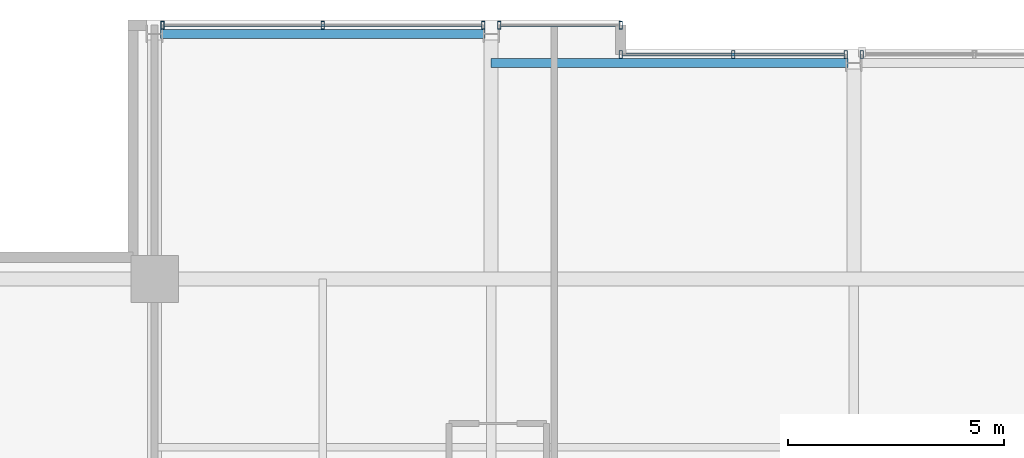
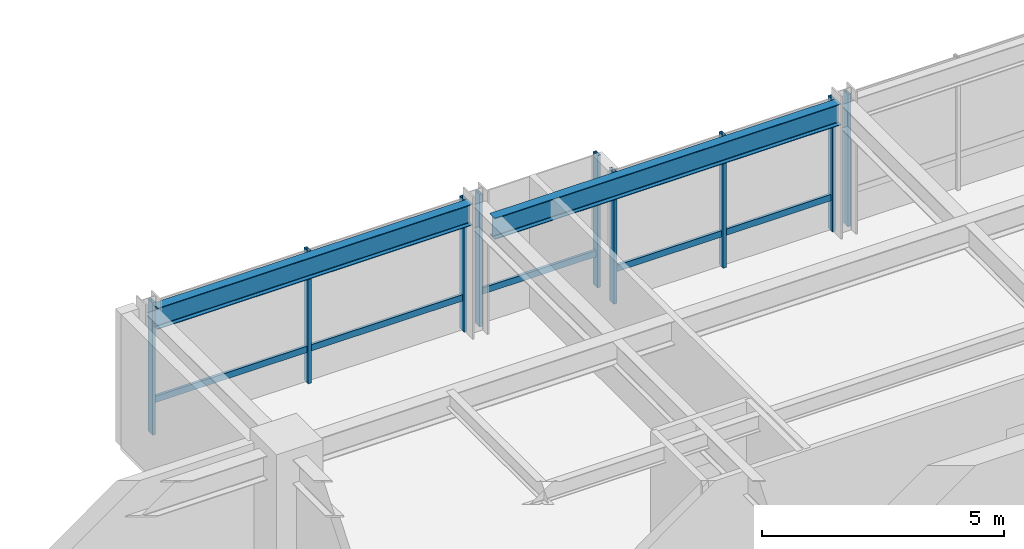
# One storey, part 20 of 32: 12 members, 2 beams, 4 elements without a shape of their own.
"""IFC4 building model written with IfcOpenShell, lengths in metres."""

from ifc_helpers import new_model, si_unit, direction, frame, origin, origin_2d, place, context, subcontext, project, spatial, hollow_rectangle, i_section, extrude, material, layer, layer_set, material_profile, profile_set, type_object, element, aggregate, save


model = new_model("IFC4")

# Units and contexts
model_context = context("Model", 3, precision=1e-05, world=origin(), true_north=direction((0.0, 1.0)))
body_context = subcontext(model_context, "Body", "Model", "MODEL_VIEW")
ifc_project = project(units=[si_unit("LENGTHUNIT", "METRE"), si_unit("AREAUNIT", "SQUARE_METRE"), si_unit("VOLUMEUNIT", "CUBIC_METRE"), si_unit("PLANEANGLEUNIT", "RADIAN"), si_unit("MASSUNIT", "GRAM", prefix="KILO")], contexts=[model_context])

# Site, building, storey
site_placement = place(None, origin())
site = spatial("IfcSite", under=ifc_project, at=site_placement, CompositionType="ELEMENT")
building_placement = place(site_placement, origin())
building = spatial("IfcBuilding", under=site, at=building_placement, Name="Drelvath Grand Hotel", CompositionType="ELEMENT")
storey_placement = place(building_placement, frame((0.0, 0.0, 233.89990234375)))
storey = spatial("IfcBuildingStorey", under=building, at=storey_placement, Name="L61", CompositionType="ELEMENT", Elevation=233.89990234375)

# Curtain wall, member
ifc_material_1 = material(Name="Platinum-Mist Anodised Aluminium Frame", Category="aluminium")
ifc_layer = layer(ifc_material_1, 0.199951171875)
ifc_layer_set = layer_set([ifc_layer], Name="Platinum-Mist Anodised Aluminium Frame")
curtain_wall_type = type_object("IfcCurtainWallType", Name="Stick Curtain Wall CW-05 Platinum Mist High-Rise", PredefinedType="NOTDEFINED", material=ifc_layer_set)
curtain_wall_1_placement = place(storey_placement, origin())
curtain_wall_1 = element("IfcCurtainWall", 1, at=curtain_wall_1_placement, inside=storey, type_object=curtain_wall_type, Name="L61 CW-05 Curtain Wall CW05-L61-NW2", PredefinedType="NOTDEFINED")
ifc_material_profile_1 = material_profile(ifc_material_1, hollow_rectangle(XDim=0.06494140625, YDim=0.159912109375, WallThickness=0.00390625, at=origin_2d()), Name="HSS160X65X4")
ifc_profile_set_1 = profile_set([ifc_material_profile_1], Name="Platinum-Mist Anodised Aluminium Frame")
member_type_1 = type_object("IfcMemberType", Name="Curtain Wall Horizontal Transom CW-05 HSS160X65X4", PredefinedType="USERDEFINED", material=ifc_profile_set_1)
member_1_placement = place(storey_placement, frame((-15.974609375, 49.080078125, 0.835205078125), z_axis=(1.0, 0.0, 0.0), x_axis=(0.0, 1.0, 0.0)))
member_1 = element("IfcMember", 2, at=member_1_placement, type_object=member_type_1, Name="CW05-L61-NW2 Sill Transom", ObjectType="TRANSOM", PredefinedType="USERDEFINED", context=body_context, shape_type="SweptSolid", body=[
    extrude(hollow_rectangle(XDim=0.06494140625, YDim=0.159912109375, WallThickness=0.00390625, at=origin_2d()), origin(), (0.0, 0.0, 1.0), 7.349365234375),
])

curtain_wall_2_placement = place(storey_placement, origin())
curtain_wall_2 = element("IfcCurtainWall", 3, at=curtain_wall_2_placement, inside=storey, type_object=curtain_wall_type, Name="L61 CW-05 Curtain Wall CW05-L61-NW3", PredefinedType="NOTDEFINED")
member_2_placement = place(storey_placement, frame((-8.1748046875, 49.080078125, 0.835205078125), z_axis=(1.0, 0.0, 0.0), x_axis=(0.0, 1.0, 0.0)))
member_2 = element("IfcMember", 4, at=member_2_placement, type_object=member_type_1, Name="CW05-L61-NW3 Sill Transom", ObjectType="TRANSOM", PredefinedType="USERDEFINED", context=body_context, shape_type="SweptSolid", body=[
    extrude(hollow_rectangle(XDim=0.06494140625, YDim=0.159912109375, WallThickness=0.00390625, at=origin_2d()), origin(), (0.0, 0.0, 1.0), 2.73486328125),
])

curtain_wall_3_placement = place(storey_placement, origin())
curtain_wall_3 = element("IfcCurtainWall", 5, at=curtain_wall_3_placement, inside=storey, type_object=curtain_wall_type, Name="L61 CW-05 Curtain Wall CW05-L61-NM1", PredefinedType="NOTDEFINED")
member_3_placement = place(storey_placement, frame((-5.360107421875, 48.39990234375, 0.835205078125), z_axis=(1.0, 0.0, 0.0), x_axis=(0.0, 1.0, 0.0)))
member_3 = element("IfcMember", 6, at=member_3_placement, type_object=member_type_1, Name="CW05-L61-NM1 Sill Transom", ObjectType="TRANSOM", PredefinedType="USERDEFINED", context=body_context, shape_type="SweptSolid", body=[
    extrude(hollow_rectangle(XDim=0.06494140625, YDim=0.159912109375, WallThickness=0.00390625, at=origin_2d()), origin(), (0.0, 0.0, 1.0), 5.134765625),
])

# Member
ifc_material_profile_2 = material_profile(ifc_material_1, hollow_rectangle(XDim=0.074951171875, YDim=0.179931640625, WallThickness=0.0048828125, at=origin_2d()), Name="HSS180X75X5")
ifc_profile_set_2 = profile_set([ifc_material_profile_2], Name="Platinum-Mist Anodised Aluminium Frame")
member_type_2 = type_object("IfcMemberType", Name="Curtain Wall Vertical Mullion CW-05 HSS180X75X5", PredefinedType="MULLION", material=ifc_profile_set_2)
member_4_placement = place(storey_placement, frame((-16.0146484375, 49.080078125, 0.0), z_axis=(0.0, 0.0, 1.0), x_axis=(1.0, 0.0, 0.0)))
member_4 = element("IfcMember", 7, at=member_4_placement, type_object=member_type_2, Name="CW05-L61-NW2 Mullion 1", PredefinedType="MULLION", context=body_context, shape_type="SweptSolid", body=[
    extrude(hollow_rectangle(XDim=0.074951171875, YDim=0.179931640625, WallThickness=0.0048828125, at=origin_2d()), origin(), (0.0, 0.0, 1.0), 3.340087890625),
])

member_5_placement = place(storey_placement, frame((-12.300048828125, 49.080078125, 0.0), z_axis=(0.0, 0.0, 1.0), x_axis=(1.0, 0.0, 0.0)))
member_5 = element("IfcMember", 8, at=member_5_placement, type_object=member_type_2, Name="CW05-L61-NW2 Mullion 2", PredefinedType="MULLION", context=body_context, shape_type="SweptSolid", body=[
    extrude(hollow_rectangle(XDim=0.074951171875, YDim=0.179931640625, WallThickness=0.0048828125, at=origin_2d()), origin(), (0.0, 0.0, 1.0), 3.340087890625),
])

member_6_placement = place(storey_placement, frame((-8.585205078125, 49.080078125, 0.0), z_axis=(0.0, 0.0, 1.0), x_axis=(1.0, 0.0, 0.0)))
member_6 = element("IfcMember", 9, at=member_6_placement, type_object=member_type_2, Name="CW05-L61-NW2 Mullion 3", PredefinedType="MULLION", context=body_context, shape_type="SweptSolid", body=[
    extrude(hollow_rectangle(XDim=0.074951171875, YDim=0.179931640625, WallThickness=0.0048828125, at=origin_2d()), origin(), (0.0, 0.0, 1.0), 3.340087890625),
])

aggregate(curtain_wall_1, [member_4, member_5, member_6, member_1])

member_7_placement = place(storey_placement, frame((-8.214599609375, 49.080078125, 0.0), z_axis=(0.0, 0.0, 1.0), x_axis=(1.0, 0.0, 0.0)))
member_7 = element("IfcMember", 10, at=member_7_placement, type_object=member_type_2, Name="CW05-L61-NW3 Mullion 1", PredefinedType="MULLION", context=body_context, shape_type="SweptSolid", body=[
    extrude(hollow_rectangle(XDim=0.074951171875, YDim=0.179931640625, WallThickness=0.0048828125, at=origin_2d()), origin(), (0.0, 0.0, 1.0), 3.340087890625),
])

member_8_placement = place(storey_placement, frame((-5.39990234375, 49.080078125, 0.0), z_axis=(0.0, 0.0, 1.0), x_axis=(1.0, 0.0, 0.0)))
member_8 = element("IfcMember", 11, at=member_8_placement, type_object=member_type_2, Name="CW05-L61-NW3 Mullion 2", PredefinedType="MULLION", context=body_context, shape_type="SweptSolid", body=[
    extrude(hollow_rectangle(XDim=0.074951171875, YDim=0.179931640625, WallThickness=0.0048828125, at=origin_2d()), origin(), (0.0, 0.0, 1.0), 3.340087890625),
])

aggregate(curtain_wall_2, [member_7, member_8, member_2])

member_9_placement = place(storey_placement, frame((-5.39990234375, 48.39990234375, 0.0), z_axis=(0.0, 0.0, 1.0), x_axis=(1.0, 0.0, 0.0)))
member_9 = element("IfcMember", 12, at=member_9_placement, type_object=member_type_2, Name="CW05-L61-NM1 Mullion 1", PredefinedType="MULLION", context=body_context, shape_type="SweptSolid", body=[
    extrude(hollow_rectangle(XDim=0.074951171875, YDim=0.179931640625, WallThickness=0.0048828125, at=origin_2d()), origin(), (0.0, 0.0, 1.0), 3.340087890625),
])

member_10_placement = place(storey_placement, frame((-2.792724609375, 48.39990234375, 0.0), z_axis=(0.0, 0.0, 1.0), x_axis=(1.0, 0.0, 0.0)))
member_10 = element("IfcMember", 13, at=member_10_placement, type_object=member_type_2, Name="CW05-L61-NM1 Mullion 2", PredefinedType="MULLION", context=body_context, shape_type="SweptSolid", body=[
    extrude(hollow_rectangle(XDim=0.074951171875, YDim=0.179931640625, WallThickness=0.0048828125, at=origin_2d()), origin(), (0.0, 0.0, 1.0), 3.340087890625),
])

member_11_placement = place(storey_placement, frame((-0.185302734375, 48.39990234375, 0.0), z_axis=(0.0, 0.0, 1.0), x_axis=(1.0, 0.0, 0.0)))
member_11 = element("IfcMember", 14, at=member_11_placement, type_object=member_type_2, Name="CW05-L61-NM1 Mullion 3", PredefinedType="MULLION", context=body_context, shape_type="SweptSolid", body=[
    extrude(hollow_rectangle(XDim=0.074951171875, YDim=0.179931640625, WallThickness=0.0048828125, at=origin_2d()), origin(), (0.0, 0.0, 1.0), 3.340087890625),
])

aggregate(curtain_wall_3, [member_9, member_10, member_11, member_3])

# Curtain wall, member
curtain_wall_4_placement = place(storey_placement, origin())
curtain_wall_4 = element("IfcCurtainWall", 15, at=curtain_wall_4_placement, inside=storey, type_object=curtain_wall_type, Name="L61 CW-05 Curtain Wall CW05-L61-NM2", PredefinedType="NOTDEFINED")
member_12_placement = place(storey_placement, frame((0.185302734375, 48.39990234375, 0.0), z_axis=(0.0, 0.0, 1.0), x_axis=(1.0, 0.0, 0.0)))
member_12 = element("IfcMember", 16, at=member_12_placement, type_object=member_type_2, Name="CW05-L61-NM2 Mullion 1", PredefinedType="MULLION", context=body_context, shape_type="SweptSolid", body=[
    extrude(hollow_rectangle(XDim=0.074951171875, YDim=0.179931640625, WallThickness=0.0048828125, at=origin_2d()), origin(), (0.0, 0.0, 1.0), 3.340087890625),
])
aggregate(curtain_wall_4, [member_12])

# Beams
ifc_material_2 = material(Name="Steel ASTM A992 Gr 50", Category="steel")
ifc_material_profile_3 = material_profile(ifc_material_2, i_section(OverallWidth=0.210205078125, OverallDepth=0.53662109375, WebThickness=0.010986328125, FlangeThickness=0.017333984375, FilletRadius=0.01806640625, at=origin_2d()), Name="W21X68")
ifc_profile_set_3 = profile_set([ifc_material_profile_3], Name="Steel ASTM A992 Gr 50")
beam_type = type_object("IfcBeamType", Name="Perimeter Spandrel Beam W21X68", PredefinedType="SPANDREL", material=ifc_profile_set_3)
beam_1_placement = place(storey_placement, frame((-16.06005859375, 48.8798828125, 3.07177734375), z_axis=(1.0, 0.0, 0.0), x_axis=(0.0, 1.0, 0.0)))
element("IfcBeam", 17, at=beam_1_placement, inside=storey, type_object=beam_type, Name="L61 Spandrel North W", PredefinedType="SPANDREL", context=body_context, shape_type="SweptSolid", body=[
    extrude(i_section(OverallWidth=0.210205078125, OverallDepth=0.53662109375, WebThickness=0.010986328125, FlangeThickness=0.017333984375, FilletRadius=0.01806640625, at=origin_2d()), origin(), (0.0, 0.0, 1.0), 7.52001953125),
])
beam_2_placement = place(storey_placement, frame((-8.39990234375, 48.199951171875, 3.07177734375), z_axis=(1.0, 0.0, 0.0), x_axis=(0.0, 1.0, 0.0)))
element("IfcBeam", 18, at=beam_2_placement, inside=storey, type_object=beam_type, Name="L61 Spandrel North Mid W", PredefinedType="SPANDREL", context=body_context, shape_type="SweptSolid", body=[
    extrude(i_section(OverallWidth=0.210205078125, OverallDepth=0.53662109375, WebThickness=0.010986328125, FlangeThickness=0.017333984375, FilletRadius=0.01806640625, at=origin_2d()), origin(), (0.0, 0.0, 1.0), 8.260009765625),
])

save(model, "model.ifc")
